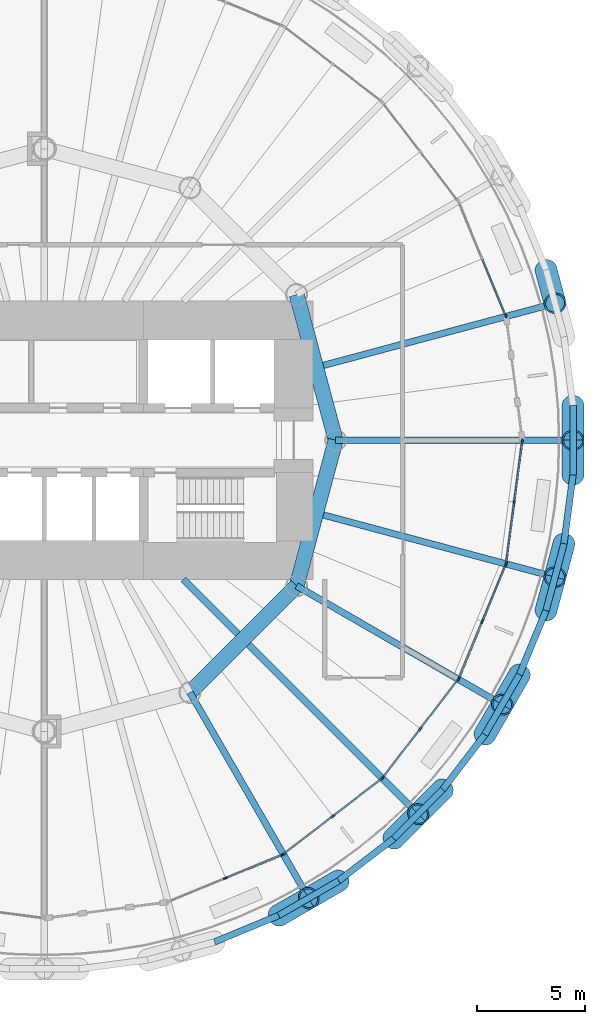
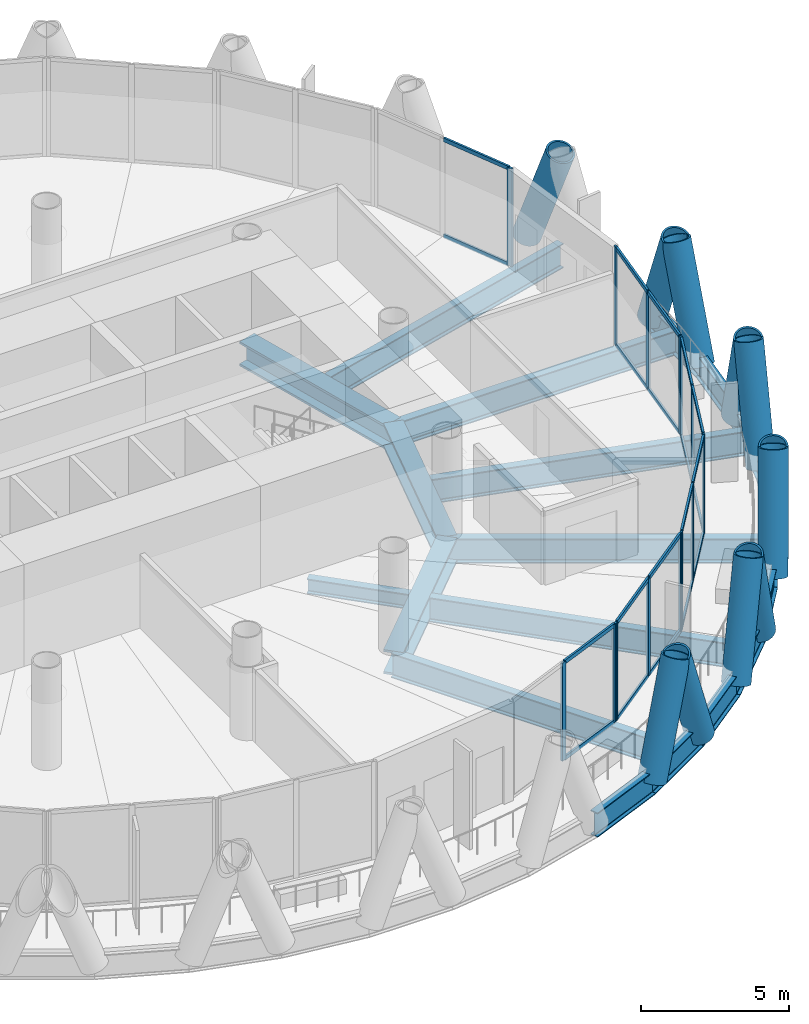
# One storey, part 4 of 16: 46 members, 20 beams, 6 elements without a shape of their own.
"""IFC4 building model written with IfcOpenShell, lengths in metres."""

from ifc_helpers import new_model, si_unit, direction, frame, origin, origin_2d, place, context, subcontext, project, spatial, rectangle, hollow_circle, i_section, extrude, material, material_profile, profile_set, type_object, element, aggregate, save


model = new_model("IFC4")

# Units and contexts
model_context = context("Model", 3, precision=1e-05, world=origin(), true_north=direction((0.0, 1.0)))
body_context = subcontext(model_context, "Body", "Model", "MODEL_VIEW")
ifc_project = project(units=[si_unit("LENGTHUNIT", "METRE"), si_unit("AREAUNIT", "SQUARE_METRE"), si_unit("VOLUMEUNIT", "CUBIC_METRE"), si_unit("PLANEANGLEUNIT", "RADIAN"), si_unit("MASSUNIT", "GRAM", prefix="KILO")], contexts=[model_context])

# Site, building, storey
site_placement = place(None, origin())
site = spatial("IfcSite", under=ifc_project, at=site_placement, CompositionType="ELEMENT")
building_placement = place(site_placement, origin())
building = spatial("IfcBuilding", under=site, at=building_placement, Name="Qaws Media Tower", CompositionType="ELEMENT")
storey_placement = place(building_placement, frame((0.0, 0.0, 173.0)))
storey = spatial("IfcBuildingStorey", under=building, at=storey_placement, Name="L39", CompositionType="ELEMENT", Elevation=173.0)

# Curtain wall, member
ifc_material_1 = material(Name="Aluminium and clear glass", Category="aluminium")
curtain_wall_type = type_object("IfcCurtainWallType", Name="Unitised curtain wall CW-B", PredefinedType="NOTDEFINED", material=ifc_material_1)
curtain_wall_1_placement = place(storey_placement, origin())
curtain_wall_1 = element("IfcCurtainWall", 1, at=curtain_wall_1_placement, inside=storey, type_object=curtain_wall_type, Name="CWB curtain wall L39-02", PredefinedType="NOTDEFINED")
ifc_material_2 = material(Name="Aluminium mullion", Category="aluminium")
ifc_material_profile_1 = material_profile(ifc_material_2, rectangle(XDim=0.080078125, YDim=0.199951171875, at=origin_2d()), Name="80x200")
ifc_profile_set_1 = profile_set([ifc_material_profile_1], Name="Aluminium mullion")
member_type_1 = type_object("IfcMemberType", Name="Curtain wall mullion 80x200", PredefinedType="MULLION", material=ifc_profile_set_1)
member_1_placement = place(storey_placement, frame((81.3798828125, 55.769775390625, 0.0), z_axis=(0.0, 0.0, 1.0), x_axis=(-0.923879550605, -0.382683388683, 0.0)))
member_1 = element("IfcMember", 2, at=member_1_placement, type_object=member_type_1, Name="CWB mullion 1", PredefinedType="MULLION", context=body_context, shape_type="SweptSolid", body=[
    extrude(rectangle(XDim=0.080078125, YDim=0.199951171875, at=origin_2d()), origin(), (0.0, 0.0, 1.0), 4.0400390625),
])

# Curtain wall, members
curtain_wall_2_placement = place(storey_placement, origin())
curtain_wall_2 = element("IfcCurtainWall", 3, at=curtain_wall_2_placement, inside=storey, type_object=curtain_wall_type, Name="CWB curtain wall L39-20", PredefinedType="NOTDEFINED")
member_2_placement = place(storey_placement, frame((68.40380859375, 29.711181640625, 0.0), z_axis=(0.0, 0.0, 1.0), x_axis=(-0.382683388683, 0.923879550605, 0.0)))
member_2 = element("IfcMember", 4, at=member_2_placement, type_object=member_type_1, Name="CWB mullion 2", PredefinedType="MULLION", context=body_context, shape_type="SweptSolid", body=[
    extrude(rectangle(XDim=0.080078125, YDim=0.199951171875, at=origin_2d()), origin(), (0.0, 0.0, 1.0), 4.0400390625),
])
member_3_placement = place(storey_placement, frame((71.0380859375, 30.80224609375, 0.0), z_axis=(0.0, 0.0, 1.0), x_axis=(-0.382683388683, 0.923879550605, 0.0)))
member_3 = element("IfcMember", 5, at=member_3_placement, type_object=member_type_1, Name="CWB mullion 3", PredefinedType="MULLION", context=body_context, shape_type="SweptSolid", body=[
    extrude(rectangle(XDim=0.080078125, YDim=0.199951171875, at=origin_2d()), origin(), (0.0, 0.0, 1.0), 4.0400390625),
])

curtain_wall_3_placement = place(storey_placement, origin())
curtain_wall_3 = element("IfcCurtainWall", 6, at=curtain_wall_3_placement, inside=storey, type_object=curtain_wall_type, Name="CWB curtain wall L39-21", PredefinedType="NOTDEFINED")
member_4_placement = place(storey_placement, frame((71.106689453125, 30.841796875, 0.0), z_axis=(0.0, 0.0, 1.0), x_axis=(-0.60876150144, 0.793353284712, 0.0)))
member_4 = element("IfcMember", 7, at=member_4_placement, type_object=member_type_1, Name="CWB mullion 1", PredefinedType="MULLION", context=body_context, shape_type="SweptSolid", body=[
    extrude(rectangle(XDim=0.080078125, YDim=0.199951171875, at=origin_2d()), origin(), (0.0, 0.0, 1.0), 4.0400390625),
])
member_5_placement = place(storey_placement, frame((73.36865234375, 32.57763671875, 0.0), z_axis=(0.0, 0.0, 1.0), x_axis=(-0.60876150144, 0.793353284712, 0.0)))
member_5 = element("IfcMember", 8, at=member_5_placement, type_object=member_type_1, Name="CWB mullion 2", PredefinedType="MULLION", context=body_context, shape_type="SweptSolid", body=[
    extrude(rectangle(XDim=0.080078125, YDim=0.199951171875, at=origin_2d()), origin(), (0.0, 0.0, 1.0), 4.0400390625),
])
member_6_placement = place(storey_placement, frame((75.630615234375, 34.313232421875, 0.0), z_axis=(0.0, 0.0, 1.0), x_axis=(-0.60876150144, 0.793353284712, 0.0)))
member_6 = element("IfcMember", 9, at=member_6_placement, type_object=member_type_1, Name="CWB mullion 3", PredefinedType="MULLION", context=body_context, shape_type="SweptSolid", body=[
    extrude(rectangle(XDim=0.080078125, YDim=0.199951171875, at=origin_2d()), origin(), (0.0, 0.0, 1.0), 4.0400390625),
])

curtain_wall_4_placement = place(storey_placement, origin())
curtain_wall_4 = element("IfcCurtainWall", 10, at=curtain_wall_4_placement, inside=storey, type_object=curtain_wall_type, Name="CWB curtain wall L39-22", PredefinedType="NOTDEFINED")
member_7_placement = place(storey_placement, frame((75.686767578125, 34.369384765625, 0.0), z_axis=(0.0, 0.0, 1.0), x_axis=(-0.793353284712, 0.60876150144, 0.0)))
member_7 = element("IfcMember", 11, at=member_7_placement, type_object=member_type_1, Name="CWB mullion 1", PredefinedType="MULLION", context=body_context, shape_type="SweptSolid", body=[
    extrude(rectangle(XDim=0.080078125, YDim=0.199951171875, at=origin_2d()), origin(), (0.0, 0.0, 1.0), 4.0400390625),
])
member_8_placement = place(storey_placement, frame((77.42236328125, 36.63134765625, 0.0), z_axis=(0.0, 0.0, 1.0), x_axis=(-0.793353284712, 0.60876150144, 0.0)))
member_8 = element("IfcMember", 12, at=member_8_placement, type_object=member_type_1, Name="CWB mullion 2", PredefinedType="MULLION", context=body_context, shape_type="SweptSolid", body=[
    extrude(rectangle(XDim=0.080078125, YDim=0.199951171875, at=origin_2d()), origin(), (0.0, 0.0, 1.0), 4.0400390625),
])
member_9_placement = place(storey_placement, frame((79.158203125, 38.893310546875, 0.0), z_axis=(0.0, 0.0, 1.0), x_axis=(-0.793353284712, 0.60876150144, 0.0)))
member_9 = element("IfcMember", 13, at=member_9_placement, type_object=member_type_1, Name="CWB mullion 3", PredefinedType="MULLION", context=body_context, shape_type="SweptSolid", body=[
    extrude(rectangle(XDim=0.080078125, YDim=0.199951171875, at=origin_2d()), origin(), (0.0, 0.0, 1.0), 4.0400390625),
])

curtain_wall_5_placement = place(storey_placement, origin())
curtain_wall_5 = element("IfcCurtainWall", 14, at=curtain_wall_5_placement, inside=storey, type_object=curtain_wall_type, Name="CWB curtain wall L39-23", PredefinedType="NOTDEFINED")
member_10_placement = place(storey_placement, frame((79.19775390625, 38.9619140625, 0.0), z_axis=(0.0, 0.0, 1.0), x_axis=(-0.923879550605, 0.382683388683, 0.0)))
member_10 = element("IfcMember", 15, at=member_10_placement, type_object=member_type_1, Name="CWB mullion 1", PredefinedType="MULLION", context=body_context, shape_type="SweptSolid", body=[
    extrude(rectangle(XDim=0.080078125, YDim=0.199951171875, at=origin_2d()), origin(), (0.0, 0.0, 1.0), 4.0400390625),
])
member_11_placement = place(storey_placement, frame((80.288818359375, 41.59619140625, 0.0), z_axis=(0.0, 0.0, 1.0), x_axis=(-0.923879550605, 0.382683388683, 0.0)))
member_11 = element("IfcMember", 16, at=member_11_placement, type_object=member_type_1, Name="CWB mullion 2", PredefinedType="MULLION", context=body_context, shape_type="SweptSolid", body=[
    extrude(rectangle(XDim=0.080078125, YDim=0.199951171875, at=origin_2d()), origin(), (0.0, 0.0, 1.0), 4.0400390625),
])
member_12_placement = place(storey_placement, frame((81.3798828125, 44.230224609375, 0.0), z_axis=(0.0, 0.0, 1.0), x_axis=(-0.923879550605, 0.382683388683, 0.0)))
member_12 = element("IfcMember", 17, at=member_12_placement, type_object=member_type_1, Name="CWB mullion 3", PredefinedType="MULLION", context=body_context, shape_type="SweptSolid", body=[
    extrude(rectangle(XDim=0.080078125, YDim=0.199951171875, at=origin_2d()), origin(), (0.0, 0.0, 1.0), 4.0400390625),
])

curtain_wall_6_placement = place(storey_placement, origin())
curtain_wall_6 = element("IfcCurtainWall", 18, at=curtain_wall_6_placement, inside=storey, type_object=curtain_wall_type, Name="CWB curtain wall L39-24", PredefinedType="NOTDEFINED")
member_13_placement = place(storey_placement, frame((81.400390625, 44.306884765625, 0.0), z_axis=(0.0, 0.0, 1.0), x_axis=(-0.991444860647, 0.13052619774, 0.0)))
member_13 = element("IfcMember", 19, at=member_13_placement, type_object=member_type_1, Name="CWB mullion 1", PredefinedType="MULLION", context=body_context, shape_type="SweptSolid", body=[
    extrude(rectangle(XDim=0.080078125, YDim=0.199951171875, at=origin_2d()), origin(), (0.0, 0.0, 1.0), 4.0400390625),
])
member_14_placement = place(storey_placement, frame((81.772705078125, 47.133544921875, 0.0), z_axis=(0.0, 0.0, 1.0), x_axis=(-0.991444860647, 0.13052619774, 0.0)))
member_14 = element("IfcMember", 20, at=member_14_placement, type_object=member_type_1, Name="CWB mullion 2", PredefinedType="MULLION", context=body_context, shape_type="SweptSolid", body=[
    extrude(rectangle(XDim=0.080078125, YDim=0.199951171875, at=origin_2d()), origin(), (0.0, 0.0, 1.0), 4.0400390625),
])
member_15_placement = place(storey_placement, frame((82.144775390625, 49.96044921875, 0.0), z_axis=(0.0, 0.0, 1.0), x_axis=(-0.991444860647, 0.13052619774, 0.0)))
member_15 = element("IfcMember", 21, at=member_15_placement, type_object=member_type_1, Name="CWB mullion 3", PredefinedType="MULLION", context=body_context, shape_type="SweptSolid", body=[
    extrude(rectangle(XDim=0.080078125, YDim=0.199951171875, at=origin_2d()), origin(), (0.0, 0.0, 1.0), 4.0400390625),
])

# Member
ifc_material_3 = material(Name="Aluminium transom", Category="aluminium")
ifc_material_profile_2 = material_profile(ifc_material_3, rectangle(XDim=0.080078125, YDim=0.159912109375, at=origin_2d()), Name="80x160")
ifc_profile_set_2 = profile_set([ifc_material_profile_2], Name="Aluminium transom")
member_type_2 = type_object("IfcMemberType", Name="Curtain wall transom 80x160", PredefinedType="USERDEFINED", material=ifc_profile_set_2)
member_16_placement = place(storey_placement, frame((81.36474609375, 55.806640625, 0.0400390625), z_axis=(-0.382694138048, 0.923875098, 0.0), x_axis=(-0.923875098, -0.382694138048, 0.0)))
member_16 = element("IfcMember", 22, at=member_16_placement, type_object=member_type_2, Name="CWB transom 1.1", ObjectType="TRANSOM", PredefinedType="USERDEFINED", context=body_context, shape_type="SweptSolid", body=[
    extrude(rectangle(XDim=0.080078125, YDim=0.159912109375, at=origin_2d()), origin(), (0.0, 0.0, 1.0), 2.771240234375),
])

member_17_placement = place(storey_placement, frame((81.36474609375, 55.806640625, 4.0), z_axis=(-0.382694138048, 0.923875098, 0.0), x_axis=(-0.923875098, -0.382694138048, 0.0)))
member_17 = element("IfcMember", 23, at=member_17_placement, type_object=member_type_2, Name="CWB transom 1.2", ObjectType="TRANSOM", PredefinedType="USERDEFINED", context=body_context, shape_type="SweptSolid", body=[
    extrude(rectangle(XDim=0.080078125, YDim=0.159912109375, at=origin_2d()), origin(), (0.0, 0.0, 1.0), 2.771240234375),
])

aggregate(curtain_wall_1, [member_1, member_16, member_17])

member_18_placement = place(storey_placement, frame((68.44091796875, 29.7265625, 0.0400390625), z_axis=(0.923893344572, 0.382650085398, 0.0), x_axis=(-0.382650085398, 0.923893344572, 0.0)))
member_18 = element("IfcMember", 24, at=member_18_placement, type_object=member_type_2, Name="CWB transom 2.1", ObjectType="TRANSOM", PredefinedType="USERDEFINED", context=body_context, shape_type="SweptSolid", body=[
    extrude(rectangle(XDim=0.080078125, YDim=0.159912109375, at=origin_2d()), origin(), (0.0, 0.0, 1.0), 2.77099609375),
])

member_19_placement = place(storey_placement, frame((68.44091796875, 29.7265625, 4.0), z_axis=(0.923893344572, 0.382650085398, 0.0), x_axis=(-0.382650085398, 0.923893344572, 0.0)))
member_19 = element("IfcMember", 25, at=member_19_placement, type_object=member_type_2, Name="CWB transom 2.2", ObjectType="TRANSOM", PredefinedType="USERDEFINED", context=body_context, shape_type="SweptSolid", body=[
    extrude(rectangle(XDim=0.080078125, YDim=0.159912109375, at=origin_2d()), origin(), (0.0, 0.0, 1.0), 2.77099609375),
])

aggregate(curtain_wall_2, [member_2, member_3, member_18, member_19])

member_20_placement = place(storey_placement, frame((71.138427734375, 30.8662109375, 0.0400390625), z_axis=(0.793343959233, 0.608773654447, 0.0), x_axis=(-0.608773654447, 0.793343959233, 0.0)))
member_20 = element("IfcMember", 26, at=member_20_placement, type_object=member_type_2, Name="CWB transom 1.1", ObjectType="TRANSOM", PredefinedType="USERDEFINED", context=body_context, shape_type="SweptSolid", body=[
    extrude(rectangle(XDim=0.080078125, YDim=0.159912109375, at=origin_2d()), origin(), (0.0, 0.0, 1.0), 2.771240234375),
])

member_21_placement = place(storey_placement, frame((71.138427734375, 30.8662109375, 4.0), z_axis=(0.793343959233, 0.608773654447, 0.0), x_axis=(-0.608773654447, 0.793343959233, 0.0)))
member_21 = element("IfcMember", 27, at=member_21_placement, type_object=member_type_2, Name="CWB transom 1.2", ObjectType="TRANSOM", PredefinedType="USERDEFINED", context=body_context, shape_type="SweptSolid", body=[
    extrude(rectangle(XDim=0.080078125, YDim=0.159912109375, at=origin_2d()), origin(), (0.0, 0.0, 1.0), 2.771240234375),
])

member_22_placement = place(storey_placement, frame((73.400390625, 32.601806640625, 0.0400390625), z_axis=(0.793343959233, 0.608773654447, 0.0), x_axis=(-0.608773654447, 0.793343959233, 0.0)))
member_22 = element("IfcMember", 28, at=member_22_placement, type_object=member_type_2, Name="CWB transom 2.1", ObjectType="TRANSOM", PredefinedType="USERDEFINED", context=body_context, shape_type="SweptSolid", body=[
    extrude(rectangle(XDim=0.080078125, YDim=0.159912109375, at=origin_2d()), origin(), (0.0, 0.0, 1.0), 2.771240234375),
])

member_23_placement = place(storey_placement, frame((73.400390625, 32.601806640625, 4.0), z_axis=(0.793343959233, 0.608773654447, 0.0), x_axis=(-0.608773654447, 0.793343959233, 0.0)))
member_23 = element("IfcMember", 29, at=member_23_placement, type_object=member_type_2, Name="CWB transom 2.2", ObjectType="TRANSOM", PredefinedType="USERDEFINED", context=body_context, shape_type="SweptSolid", body=[
    extrude(rectangle(XDim=0.080078125, YDim=0.159912109375, at=origin_2d()), origin(), (0.0, 0.0, 1.0), 2.771240234375),
])

aggregate(curtain_wall_3, [member_4, member_5, member_6, member_20, member_21, member_22, member_23])

member_24_placement = place(storey_placement, frame((75.711181640625, 34.401123046875, 0.0400390625), z_axis=(0.608773654447, 0.793343959233, 0.0), x_axis=(-0.793343959233, 0.608773654447, 0.0)))
member_24 = element("IfcMember", 30, at=member_24_placement, type_object=member_type_2, Name="CWB transom 1.1", ObjectType="TRANSOM", PredefinedType="USERDEFINED", context=body_context, shape_type="SweptSolid", body=[
    extrude(rectangle(XDim=0.080078125, YDim=0.159912109375, at=origin_2d()), origin(), (0.0, 0.0, 1.0), 2.771240234375),
])

member_25_placement = place(storey_placement, frame((75.711181640625, 34.401123046875, 4.0), z_axis=(0.608773654447, 0.793343959233, 0.0), x_axis=(-0.793343959233, 0.608773654447, 0.0)))
member_25 = element("IfcMember", 31, at=member_25_placement, type_object=member_type_2, Name="CWB transom 1.2", ObjectType="TRANSOM", PredefinedType="USERDEFINED", context=body_context, shape_type="SweptSolid", body=[
    extrude(rectangle(XDim=0.080078125, YDim=0.159912109375, at=origin_2d()), origin(), (0.0, 0.0, 1.0), 2.771240234375),
])

member_26_placement = place(storey_placement, frame((77.44677734375, 36.6630859375, 0.0400390625), z_axis=(0.608773654447, 0.793343959233, 0.0), x_axis=(-0.793343959233, 0.608773654447, 0.0)))
member_26 = element("IfcMember", 32, at=member_26_placement, type_object=member_type_2, Name="CWB transom 2.1", ObjectType="TRANSOM", PredefinedType="USERDEFINED", context=body_context, shape_type="SweptSolid", body=[
    extrude(rectangle(XDim=0.080078125, YDim=0.159912109375, at=origin_2d()), origin(), (0.0, 0.0, 1.0), 2.771240234375),
])

member_27_placement = place(storey_placement, frame((77.44677734375, 36.6630859375, 4.0), z_axis=(0.608773654447, 0.793343959233, 0.0), x_axis=(-0.793343959233, 0.608773654447, 0.0)))
member_27 = element("IfcMember", 33, at=member_27_placement, type_object=member_type_2, Name="CWB transom 2.2", ObjectType="TRANSOM", PredefinedType="USERDEFINED", context=body_context, shape_type="SweptSolid", body=[
    extrude(rectangle(XDim=0.080078125, YDim=0.159912109375, at=origin_2d()), origin(), (0.0, 0.0, 1.0), 2.771240234375),
])

aggregate(curtain_wall_4, [member_7, member_8, member_9, member_24, member_25, member_26, member_27])

member_28_placement = place(storey_placement, frame((79.213134765625, 38.9990234375, 0.0400390625), z_axis=(0.382650085398, 0.923893344572, 0.0), x_axis=(-0.923893344572, 0.382650085398, 0.0)))
member_28 = element("IfcMember", 34, at=member_28_placement, type_object=member_type_2, Name="CWB transom 1.1", ObjectType="TRANSOM", PredefinedType="USERDEFINED", context=body_context, shape_type="SweptSolid", body=[
    extrude(rectangle(XDim=0.080078125, YDim=0.159912109375, at=origin_2d()), origin(), (0.0, 0.0, 1.0), 2.77099609375),
])

member_29_placement = place(storey_placement, frame((79.213134765625, 38.9990234375, 4.0), z_axis=(0.382650085398, 0.923893344572, 0.0), x_axis=(-0.923893344572, 0.382650085398, 0.0)))
member_29 = element("IfcMember", 35, at=member_29_placement, type_object=member_type_2, Name="CWB transom 1.2", ObjectType="TRANSOM", PredefinedType="USERDEFINED", context=body_context, shape_type="SweptSolid", body=[
    extrude(rectangle(XDim=0.080078125, YDim=0.159912109375, at=origin_2d()), origin(), (0.0, 0.0, 1.0), 2.77099609375),
])

member_30_placement = place(storey_placement, frame((80.30419921875, 41.633056640625, 0.0400390625), z_axis=(0.382694138048, 0.923875098, 0.0), x_axis=(-0.923875098, 0.382694138048, 0.0)))
member_30 = element("IfcMember", 36, at=member_30_placement, type_object=member_type_2, Name="CWB transom 2.1", ObjectType="TRANSOM", PredefinedType="USERDEFINED", context=body_context, shape_type="SweptSolid", body=[
    extrude(rectangle(XDim=0.080078125, YDim=0.159912109375, at=origin_2d()), origin(), (0.0, 0.0, 1.0), 2.771240234375),
])

member_31_placement = place(storey_placement, frame((80.30419921875, 41.633056640625, 4.0), z_axis=(0.382694138048, 0.923875098, 0.0), x_axis=(-0.923875098, 0.382694138048, 0.0)))
member_31 = element("IfcMember", 37, at=member_31_placement, type_object=member_type_2, Name="CWB transom 2.2", ObjectType="TRANSOM", PredefinedType="USERDEFINED", context=body_context, shape_type="SweptSolid", body=[
    extrude(rectangle(XDim=0.080078125, YDim=0.159912109375, at=origin_2d()), origin(), (0.0, 0.0, 1.0), 2.771240234375),
])

aggregate(curtain_wall_5, [member_10, member_11, member_12, member_28, member_29, member_30, member_31])

member_32_placement = place(storey_placement, frame((81.40576171875, 44.346435546875, 0.0400390625), z_axis=(0.130472743803, 0.991451896526, 0.0), x_axis=(-0.991451896526, 0.130472743803, 0.0)))
member_32 = element("IfcMember", 38, at=member_32_placement, type_object=member_type_2, Name="CWB transom 1.1", ObjectType="TRANSOM", PredefinedType="USERDEFINED", context=body_context, shape_type="SweptSolid", body=[
    extrude(rectangle(XDim=0.080078125, YDim=0.159912109375, at=origin_2d()), origin(), (0.0, 0.0, 1.0), 2.771240234375),
])

member_33_placement = place(storey_placement, frame((81.40576171875, 44.346435546875, 4.0), z_axis=(0.130472743803, 0.991451896526, 0.0), x_axis=(-0.991451896526, 0.130472743803, 0.0)))
member_33 = element("IfcMember", 39, at=member_33_placement, type_object=member_type_2, Name="CWB transom 1.2", ObjectType="TRANSOM", PredefinedType="USERDEFINED", context=body_context, shape_type="SweptSolid", body=[
    extrude(rectangle(XDim=0.080078125, YDim=0.159912109375, at=origin_2d()), origin(), (0.0, 0.0, 1.0), 2.771240234375),
])

member_34_placement = place(storey_placement, frame((81.77783203125, 47.17333984375, 0.0400390625), z_axis=(0.13057074473, 0.991438994906, 0.0), x_axis=(-0.991438994906, 0.13057074473, 0.0)))
member_34 = element("IfcMember", 40, at=member_34_placement, type_object=member_type_2, Name="CWB transom 2.1", ObjectType="TRANSOM", PredefinedType="USERDEFINED", context=body_context, shape_type="SweptSolid", body=[
    extrude(rectangle(XDim=0.080078125, YDim=0.159912109375, at=origin_2d()), origin(), (0.0, 0.0, 1.0), 2.77099609375),
])

member_35_placement = place(storey_placement, frame((81.77783203125, 47.17333984375, 4.0), z_axis=(0.13057074473, 0.991438994906, 0.0), x_axis=(-0.991438994906, 0.13057074473, 0.0)))
member_35 = element("IfcMember", 41, at=member_35_placement, type_object=member_type_2, Name="CWB transom 2.2", ObjectType="TRANSOM", PredefinedType="USERDEFINED", context=body_context, shape_type="SweptSolid", body=[
    extrude(rectangle(XDim=0.080078125, YDim=0.159912109375, at=origin_2d()), origin(), (0.0, 0.0, 1.0), 2.77099609375),
])

aggregate(curtain_wall_6, [member_13, member_14, member_15, member_32, member_33, member_34, member_35])

# Members
ifc_material_4 = material(Name="Steel S460", Category="steel")
ifc_material_profile_3 = material_profile(ifc_material_4, hollow_circle(Radius=0.508056640625, WallThickness=0.070068359375, at=origin_2d()), Name="CHS 1016x70")
ifc_profile_set_3 = profile_set([ifc_material_profile_3], Name="Steel S460")
member_type_3 = type_object("IfcMemberType", Name="Diagrid member CHS 1016x70", PredefinedType="USERDEFINED", material=ifc_profile_set_3)
for number, where, z_axis, x_axis, name in (
    (42, (84.49755859375, 51.605712890625, -0.6640625), (0.000542965113, -0.357108154799, 0.934062883839), (0.999998844118, 0.001520448296, 0.0), "DG3 diagrid L39 B01"),
    (43, (83.2470703125, 57.891357421875, -0.6640625), (0.093009945788, -0.344782928051, 0.934063104136), (0.965486453387, 0.260453274748, 0.0), "DG3 diagrid L39 B02"),
    (44, (70.858154296875, 27.981689453125, -0.6640625), (0.309543146087, 0.178091829357, 0.934059067204), (-0.498691062685, 0.866779801332, 0.0), "DG3 diagrid L39 A20"),
    (45, (76.18701171875, 31.542236328125, -0.6640625), (0.252914124892, 0.252099674082, 0.934066485727), (-0.705965490928, 0.708246232337, 0.0), "DG3 diagrid L39 A21"),
    (46, (73.63916015625, 29.58740234375, -0.6640625), (-0.308952031339, -0.179018426595, 0.934077644134), (0.501353929975, -0.865242299532, 0.0), "DG3 diagrid L39 B21"),
    (47, (80.41259765625, 36.36083984375, -0.6640625), (0.179018426595, 0.308952031339, 0.934077644134), (-0.865242299532, 0.501353929975, 0.0), "DG3 diagrid L39 A22"),
    (48, (78.457763671875, 33.81298828125, -0.6640625), (-0.252099674082, -0.252914124892, 0.934066485727), (0.708246232337, -0.705965490928, 0.0), "DG3 diagrid L39 B22"),
    (49, (83.2470703125, 42.108642578125, -0.6640625), (0.093009945788, 0.344782928051, 0.934063104136), (-0.965486453387, 0.260453274748, 0.0), "DG3 diagrid L39 A23"),
    (50, (82.018310546875, 39.141845703125, -0.6640625), (-0.178091829357, -0.309543146087, 0.934059067204), (0.866779801332, -0.498691062685, 0.0), "DG3 diagrid L39 B23"),
    (51, (84.49755859375, 48.394287109375, -0.6640625), (0.000542965113, 0.357108154799, 0.934062883839), (-0.999998844118, 0.001520448296, 0.0), "DG3 diagrid L39 A24"),
    (52, (84.078369140625, 45.21044921875, -0.6640625), (-0.091870799461, -0.345058469608, 0.934074091686), (0.966335817564, -0.257284060318, 0.0), "DG3 diagrid L39 B24"),
):
    element("IfcMember", number, at=place(storey_placement, frame(where, z_axis=z_axis, x_axis=x_axis)), inside=storey, type_object=member_type_3, Name=name, ObjectType="DIAGRID", PredefinedType="USERDEFINED", context=body_context, shape_type="SweptSolid", body=[
        extrude(hollow_circle(Radius=0.508056640625, WallThickness=0.070068359375, at=origin_2d()), origin(), (0.0, 0.0, 1.0), 4.496337890625),
    ])

# Beams
ifc_material_5 = material(Name="Steel S460", Category="steel")
ifc_material_profile_4 = material_profile(ifc_material_5, i_section(OverallWidth=0.302001953125, OverallDepth=1.008056640625, WebThickness=0.02099609375, FlangeThickness=0.0400390625, FilletRadius=0.030029296875, at=origin_2d()), Name="HE 1000 M")
ifc_profile_set_4 = profile_set([ifc_material_profile_4], Name="Steel S460")
beam_type_1 = type_object("IfcBeamType", Name="Edge ring beam HE 1000 M", PredefinedType="BEAM", material=ifc_profile_set_4)
for number, where, z_axis, x_axis, name in (
    (53, (67.891357421875, 26.7529296875, -0.6640625), (0.923893595769, 0.382649478893, 0.0), (-0.382649478893, 0.923893595769, 0.0), "RB3 edge ring beam L39-39"),
    (54, (70.858154296875, 27.981689453125, -0.6640625), (0.866012133876, 0.500022983452, 0.0), (-0.500022983452, 0.866012133876, 0.0), "RB3 edge ring beam L39-40"),
):
    element("IfcBeam", number, at=place(storey_placement, frame(where, z_axis=z_axis, x_axis=x_axis)), inside=storey, type_object=beam_type_1, Name=name, PredefinedType="BEAM", context=body_context, shape_type="SweptSolid", body=[
        extrude(i_section(OverallWidth=0.302001953125, OverallDepth=1.008056640625, WebThickness=0.02099609375, FlangeThickness=0.0400390625, FilletRadius=0.030029296875, at=origin_2d()), origin(), (0.0, 0.0, 1.0), 3.211181640625),
    ])
for number, where, z_axis, x_axis, name in (
    (55, (73.63916015625, 29.58740234375, -0.6640625), (0.793383610218, 0.608721978441, 0.0), (-0.608721978441, 0.793383610218, 0.0), "RB3 edge ring beam L39-41"),
    (56, (76.18701171875, 31.542236328125, -0.6640625), (0.707106781187, 0.707106781187, 0.0), (-0.707106781187, 0.707106781187, 0.0), "RB3 edge ring beam L39-42"),
    (57, (78.457763671875, 33.81298828125, -0.6640625), (0.608721978441, 0.793383610218, 0.0), (-0.793383610218, 0.608721978441, 0.0), "RB3 edge ring beam L39-43"),
):
    element("IfcBeam", number, at=place(storey_placement, frame(where, z_axis=z_axis, x_axis=x_axis)), inside=storey, type_object=beam_type_1, Name=name, PredefinedType="BEAM", context=body_context, shape_type="SweptSolid", body=[
        extrude(i_section(OverallWidth=0.302001953125, OverallDepth=1.008056640625, WebThickness=0.02099609375, FlangeThickness=0.0400390625, FilletRadius=0.030029296875, at=origin_2d()), origin(), (0.0, 0.0, 1.0), 3.21142578125),
    ])
for number, where, z_axis, x_axis, name in (
    (58, (80.41259765625, 36.36083984375, -0.6640625), (0.500022983452, 0.866012133876, 0.0), (-0.866012133876, 0.500022983452, 0.0), "RB3 edge ring beam L39-44"),
    (59, (82.018310546875, 39.141845703125, -0.6640625), (0.382649478893, 0.923893595769, 0.0), (-0.923893595769, 0.382649478893, 0.0), "RB3 edge ring beam L39-45"),
    (60, (83.2470703125, 42.108642578125, -0.6640625), (0.258869088973, 0.965912415685, 0.0), (-0.965912415685, 0.258869088973, 0.0), "RB3 edge ring beam L39-46"),
):
    element("IfcBeam", number, at=place(storey_placement, frame(where, z_axis=z_axis, x_axis=x_axis)), inside=storey, type_object=beam_type_1, Name=name, PredefinedType="BEAM", context=body_context, shape_type="SweptSolid", body=[
        extrude(i_section(OverallWidth=0.302001953125, OverallDepth=1.008056640625, WebThickness=0.02099609375, FlangeThickness=0.0400390625, FilletRadius=0.030029296875, at=origin_2d()), origin(), (0.0, 0.0, 1.0), 3.211181640625),
    ])
for number, where, z_axis, x_axis, name in (
    (61, (84.078369140625, 45.21044921875, -0.6640625), (0.130535143282, 0.991443682903, 0.0), (-0.991443682903, 0.130535143282, 0.0), "RB3 edge ring beam L39-47"),
    (62, (84.49755859375, 48.394287109375, -0.6640625), (0.0, 1.0, 0.0), (-1.0, 0.0, 0.0), "RB3 edge ring beam L39-48"),
):
    element("IfcBeam", number, at=place(storey_placement, frame(where, z_axis=z_axis, x_axis=x_axis)), inside=storey, type_object=beam_type_1, Name=name, PredefinedType="BEAM", context=body_context, shape_type="SweptSolid", body=[
        extrude(i_section(OverallWidth=0.302001953125, OverallDepth=1.008056640625, WebThickness=0.02099609375, FlangeThickness=0.0400390625, FilletRadius=0.030029296875, at=origin_2d()), origin(), (0.0, 0.0, 1.0), 3.21142578125),
    ])
ifc_material_6 = material(Name="Steel S460", Category="steel")
ifc_material_profile_5 = material_profile(ifc_material_6, i_section(OverallWidth=0.699951171875, OverallDepth=1.0, WebThickness=0.034912109375, FlangeThickness=0.090087890625, at=origin_2d()), Name="PG 1000x700")
ifc_profile_set_5 = profile_set([ifc_material_profile_5], Name="Steel S460")
beam_type_2 = type_object("IfcBeamType", Name="Inner ring girder PG 1000x700", PredefinedType="BEAM", material=ifc_profile_set_5)
beam_1_placement = place(storey_placement, frame((73.5, 50.0, -0.659912109375), z_axis=(-0.258810593767, 0.965928090778, 0.0), x_axis=(-0.965928090778, -0.258810593767, 0.0)))
element("IfcBeam", 63, at=beam_1_placement, inside=storey, type_object=beam_type_2, Name="B3 inner ring beam L39 I01-I02", PredefinedType="BEAM", context=body_context, shape_type="SweptSolid", body=[
    extrude(i_section(OverallWidth=0.699951171875, OverallDepth=1.0, WebThickness=0.034912109375, FlangeThickness=0.090087890625, at=origin_2d()), origin(), (0.0, 0.0, 1.0), 6.988037109375),
])
beam_2_placement = place(storey_placement, frame((66.75, 38.30859375, -0.659912109375), z_axis=(0.707106781187, 0.707106781187, 0.0), x_axis=(-0.707106781187, 0.707106781187, 0.0)))
element("IfcBeam", 64, at=beam_2_placement, inside=storey, type_object=beam_type_2, Name="B3 inner ring beam L39 I11-I12", PredefinedType="BEAM", context=body_context, shape_type="SweptSolid", body=[
    extrude(i_section(OverallWidth=0.699951171875, OverallDepth=1.0, WebThickness=0.034912109375, FlangeThickness=0.090087890625, at=origin_2d()), origin(), (0.0, 0.0, 1.0), 6.98828125),
])
beam_3_placement = place(storey_placement, frame((71.69140625, 43.25, -0.659912109375), z_axis=(0.258810593767, 0.965928090778, 0.0), x_axis=(-0.965928090778, 0.258810593767, 0.0)))
element("IfcBeam", 65, at=beam_3_placement, inside=storey, type_object=beam_type_2, Name="B3 inner ring beam L39 I12-I01", PredefinedType="BEAM", context=body_context, shape_type="SweptSolid", body=[
    extrude(i_section(OverallWidth=0.699951171875, OverallDepth=1.0, WebThickness=0.034912109375, FlangeThickness=0.090087890625, at=origin_2d()), origin(), (0.0, 0.0, 1.0), 6.988037109375),
])
ifc_material_7 = material(Name="Steel S355", Category="steel")
ifc_material_profile_6 = material_profile(ifc_material_7, i_section(OverallWidth=0.302001953125, OverallDepth=1.008056640625, WebThickness=0.02099609375, FlangeThickness=0.0400390625, FilletRadius=0.030029296875, at=origin_2d()), Name="HE 1000 M")
ifc_profile_set_6 = profile_set([ifc_material_profile_6], Name="Steel S355")
beam_type_3 = type_object("IfcBeamType", Name="Radial beam HE 1000 M", PredefinedType="BEAM", material=ifc_profile_set_6)
beam_4_placement = place(storey_placement, frame((73.5, 50.0, -0.6640625), z_axis=(1.0, 0.0, 0.0), x_axis=(0.0, 1.0, 0.0)))
element("IfcBeam", 66, at=beam_4_placement, inside=storey, type_object=beam_type_3, Name="B1 radial beam L39 01", PredefinedType="BEAM", context=body_context, shape_type="SweptSolid", body=[
    extrude(i_section(OverallWidth=0.302001953125, OverallDepth=1.008056640625, WebThickness=0.02099609375, FlangeThickness=0.0400390625, FilletRadius=0.030029296875, at=origin_2d()), origin(), (0.0, 0.0, 1.0), 10.99755859375),
])
beam_5_placement = place(storey_placement, frame((72.933837890625, 53.465576171875, -0.6640625), z_axis=(0.965925976093, 0.258818486028, 0.0), x_axis=(-0.258818486028, 0.965925976093, 0.0)))
element("IfcBeam", 67, at=beam_5_placement, inside=storey, type_object=beam_type_3, Name="B1 radial beam L39 02", PredefinedType="BEAM", context=body_context, shape_type="SweptSolid", body=[
    extrude(i_section(OverallWidth=0.302001953125, OverallDepth=1.008056640625, WebThickness=0.02099609375, FlangeThickness=0.0400390625, FilletRadius=0.030029296875, at=origin_2d()), origin(), (0.0, 0.0, 1.0), 11.107177734375),
])
beam_6_placement = place(storey_placement, frame((66.75, 38.30859375, -0.6640625), z_axis=(0.50000942383, -0.866019962865, 0.0), x_axis=(0.866019962865, 0.50000942383, 0.0)))
element("IfcBeam", 68, at=beam_6_placement, inside=storey, type_object=beam_type_3, Name="B1 radial beam L39 21", PredefinedType="BEAM", context=body_context, shape_type="SweptSolid", body=[
    extrude(i_section(OverallWidth=0.302001953125, OverallDepth=1.008056640625, WebThickness=0.02099609375, FlangeThickness=0.0400390625, FilletRadius=0.030029296875, at=origin_2d()), origin(), (0.0, 0.0, 1.0), 10.997314453125),
])
beam_7_placement = place(storey_placement, frame((69.46826171875, 40.53173828125, -0.6640625), z_axis=(0.707106781187, -0.707106781187, 0.0), x_axis=(0.707106781187, 0.707106781187, 0.0)))
element("IfcBeam", 69, at=beam_7_placement, inside=storey, type_object=beam_type_3, Name="B1 radial beam L39 22", PredefinedType="BEAM", context=body_context, shape_type="SweptSolid", body=[
    extrude(i_section(OverallWidth=0.302001953125, OverallDepth=1.008056640625, WebThickness=0.02099609375, FlangeThickness=0.0400390625, FilletRadius=0.030029296875, at=origin_2d()), origin(), (0.0, 0.0, 1.0), 11.107177734375),
])
beam_8_placement = place(storey_placement, frame((71.69140625, 43.25, -0.6640625), z_axis=(0.866019962865, -0.50000942383, 0.0), x_axis=(0.50000942383, 0.866019962865, 0.0)))
element("IfcBeam", 70, at=beam_8_placement, inside=storey, type_object=beam_type_3, Name="B1 radial beam L39 23", PredefinedType="BEAM", context=body_context, shape_type="SweptSolid", body=[
    extrude(i_section(OverallWidth=0.302001953125, OverallDepth=1.008056640625, WebThickness=0.02099609375, FlangeThickness=0.0400390625, FilletRadius=0.030029296875, at=origin_2d()), origin(), (0.0, 0.0, 1.0), 10.997314453125),
])
beam_9_placement = place(storey_placement, frame((72.933837890625, 46.534423828125, -0.6640625), z_axis=(0.965925976093, -0.258818486028, 0.0), x_axis=(0.258818486028, 0.965925976093, 0.0)))
element("IfcBeam", 71, at=beam_9_placement, inside=storey, type_object=beam_type_3, Name="B1 radial beam L39 24", PredefinedType="BEAM", context=body_context, shape_type="SweptSolid", body=[
    extrude(i_section(OverallWidth=0.302001953125, OverallDepth=1.008056640625, WebThickness=0.02099609375, FlangeThickness=0.0400390625, FilletRadius=0.030029296875, at=origin_2d()), origin(), (0.0, 0.0, 1.0), 11.107177734375),
])
ifc_material_8 = material(Name="Steel S355", Category="steel")
ifc_material_profile_7 = material_profile(ifc_material_8, i_section(OverallWidth=0.304931640625, OverallDepth=0.6201171875, WebThickness=0.02099609375, FlangeThickness=0.0400390625, FilletRadius=0.027099609375, at=origin_2d()), Name="HE 600 M")
ifc_profile_set_7 = profile_set([ifc_material_profile_7], Name="Steel S355")
beam_type_4 = type_object("IfcBeamType", Name="Radial beam HE 600 M, core side", PredefinedType="BEAM", material=ifc_profile_set_7)
beam_10_placement = place(storey_placement, frame((66.449951171875, 43.550048828125, -0.469970703125), z_axis=(0.707106781187, -0.707106781187, 0.0), x_axis=(0.707106781187, 0.707106781187, 0.0)))
element("IfcBeam", 72, at=beam_10_placement, inside=storey, type_object=beam_type_4, Name="B2 radial beam L39 22", PredefinedType="BEAM", context=body_context, shape_type="SweptSolid", body=[
    extrude(i_section(OverallWidth=0.304931640625, OverallDepth=0.6201171875, WebThickness=0.02099609375, FlangeThickness=0.0400390625, FilletRadius=0.027099609375, at=origin_2d()), origin(), (0.0, 0.0, 1.0), 3.568359375),
])

save(model, "model.ifc")
